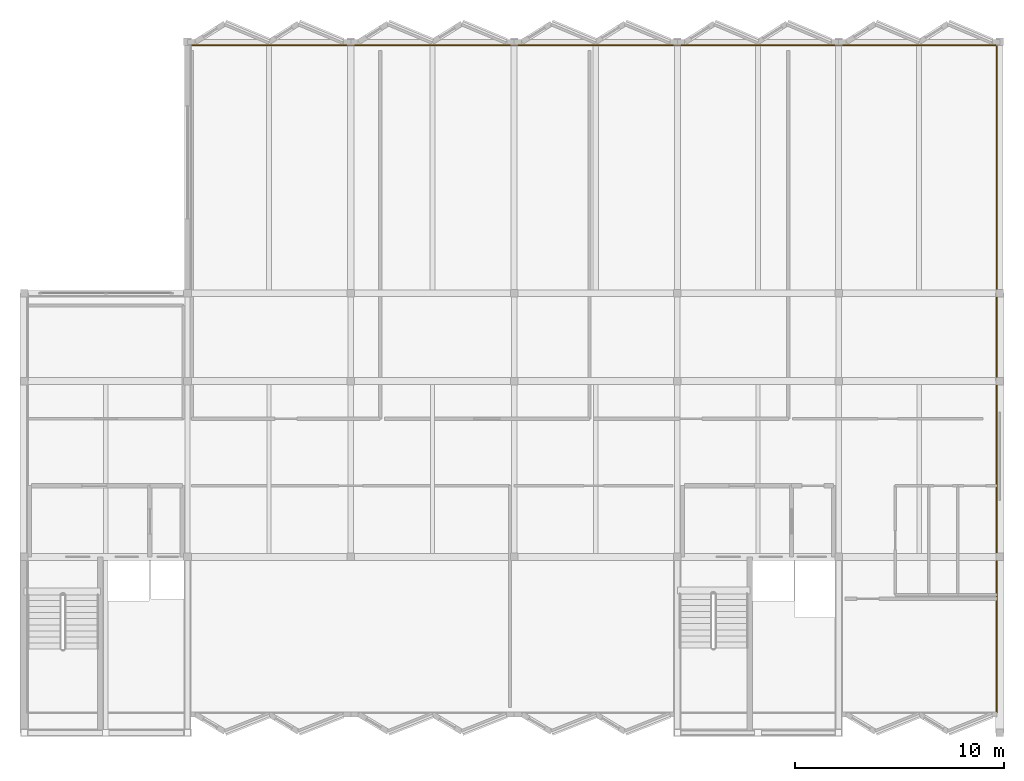
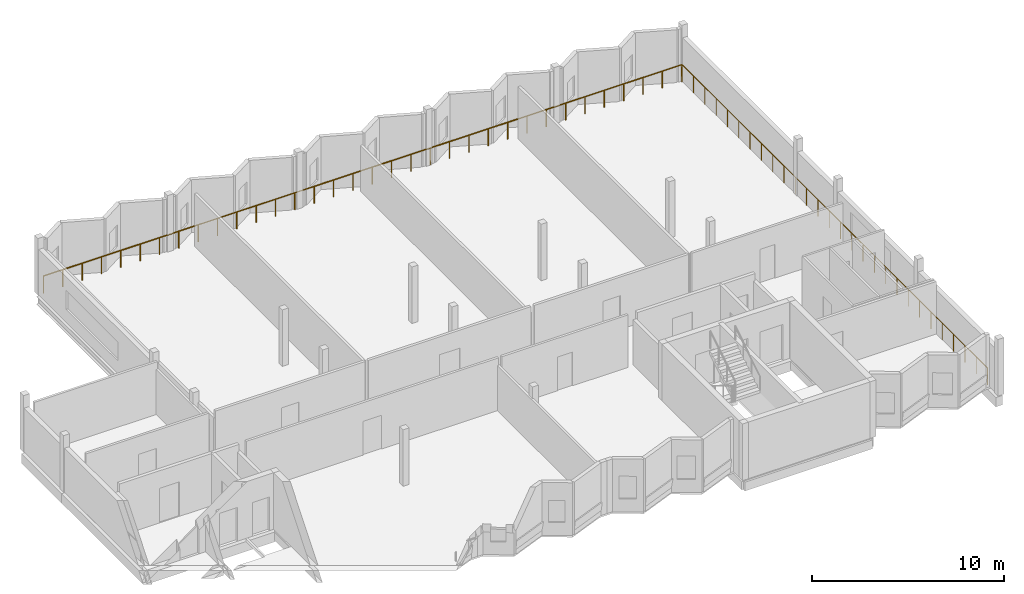
# One storey, part 11 of 11: 2 railings.
"""IFC4 building model written with IfcOpenShell, lengths in metres."""

import ifcopenshell
import ifcopenshell.guid

model = None  # the IFC model being written
_history = None  # IfcOwnerHistory: only IFC2X3 demands one
_inside = {}  # id of a spatial element -> (the spatial element, [elements in it])
_under = {}  # id of a project, library or spatial element -> (it, [spatial elements below it])
_declared = {}  # id of a project -> (the project, [libraries it declares])
_typed = {}  # id of a type object -> (the type object, [elements of that type])
_made_of = {}  # id of a material, layer set ... -> (it, [elements and type objects made of it])


def new_model(schema):
    """Start an empty IFC model of exactly this schema.

    Asked for "IFC4X3", IfcOpenShell would pick the latest addendum, in which some entities
    have other attributes; the version numbers below select the first issue.
    IFC2X3 requires an IfcOwnerHistory on every rooted entity: one is made here for all.
    """
    global model, _history
    if schema == "IFC4X3":
        model = ifcopenshell.file(schema_version=(4, 3, 0, 0))
    else:
        model = ifcopenshell.file(schema=schema)
    _inside.clear()
    _under.clear()
    _declared.clear()
    _typed.clear()
    _made_of.clear()
    _history = None
    if model.schema == "IFC2X3":
        org = make("IfcOrganization", Name="unknown")
        user = make(
            "IfcPersonAndOrganization",
            ThePerson=make("IfcPerson", FamilyName="unknown"),
            TheOrganization=org,
        )
        app = make(
            "IfcApplication",
            ApplicationDeveloper=org,
            Version="unknown",
            ApplicationFullName="unknown",
            ApplicationIdentifier="unknown",
        )
        _history = make(
            "IfcOwnerHistory",
            OwningUser=user,
            OwningApplication=app,
            ChangeAction="ADDED",
            CreationDate=0,
        )
    return model


def make(cls, **values):
    """One entity of the class cls with the attributes given. An attribute that is None is left unset."""
    return model.create_entity(
        cls, **{name: value for name, value in values.items() if value is not None}
    )


def rooted(cls, **values):
    """An entity with a GlobalId (a new one), such as an element, a storey or a relation."""
    return make(cls, GlobalId=ifcopenshell.guid.new(), OwnerHistory=_history, **values)


def si_unit(unit_type, name, prefix=None):
    """IfcSIUnit, for example si_unit("LENGTHUNIT", "METRE", prefix="MILLI")."""
    return make("IfcSIUnit", UnitType=unit_type, Prefix=prefix, Name=name)


def assignment(units):
    """IfcUnitAssignment: the units of a project."""
    return None if units is None else make("IfcUnitAssignment", Units=units)


def point(xyz):
    """IfcCartesianPoint."""
    return None if xyz is None else make("IfcCartesianPoint", Coordinates=xyz)


def direction(xyz):
    """IfcDirection."""
    return None if xyz is None else make("IfcDirection", DirectionRatios=xyz)


def frame(location, z_axis=None, x_axis=None):
    """IfcAxis2Placement3D, a coordinate frame: its origin and axes. An axis left out is left unset."""
    return make(
        "IfcAxis2Placement3D",
        Location=point(location),
        Axis=direction(z_axis),
        RefDirection=direction(x_axis),
    )


def frame_2d(location, x_axis=None):
    """IfcAxis2Placement2D, a coordinate frame in the plane: its origin and x axis."""
    return make(
        "IfcAxis2Placement2D", Location=point(location), RefDirection=direction(x_axis)
    )


def origin():
    """The frame at (0, 0, 0) with its axes left unset."""
    return frame((0.0, 0.0, 0.0))


def origin_2d():
    """The frame at (0, 0) in the plane with its x axis left unset."""
    return frame_2d((0.0, 0.0))


def place(relative_to, where):
    """IfcLocalPlacement: puts the frame where relative to a parent placement (None: the world)."""
    return make(
        "IfcLocalPlacement", PlacementRelTo=relative_to, RelativePlacement=where
    )


def context(
    kind, dimensions, precision=None, world=None, true_north=None, identifier=None
):
    """IfcGeometricRepresentationContext, for example the 3D "Model" context."""
    return make(
        "IfcGeometricRepresentationContext",
        ContextIdentifier=identifier,
        ContextType=kind,
        CoordinateSpaceDimension=dimensions,
        Precision=precision,
        WorldCoordinateSystem=world,
        TrueNorth=true_north,
    )


def subcontext(parent, identifier, kind, view, scale=None):
    """IfcGeometricRepresentationSubContext, for example "Body" below "Model"."""
    return make(
        "IfcGeometricRepresentationSubContext",
        ContextIdentifier=identifier,
        ContextType=kind,
        ParentContext=parent,
        TargetScale=scale,
        TargetView=view,
    )


def project(units=None, contexts=None):
    """IfcProject with its units and contexts."""
    return rooted(
        "IfcProject",
        Name="project",
        RepresentationContexts=contexts,
        UnitsInContext=assignment(units),
    )


def spatial(cls, under=None, at=None, **own):
    """A site, building, storey or space (cls), placed at a placement, below another one or the project."""
    s = rooted(cls, ObjectPlacement=at, **own)
    if under is not None:
        _under.setdefault(under.id(), (under, []))[1].append(s)
    return s


def profile(cls, at=None, kind="AREA", **sizes):
    """A parametric profile (cls). Its sizes go by their IFC names, for example OverallWidth=200.0."""
    return make(cls, ProfileType=kind, Position=at, **sizes)


def circle(**sizes):
    """IfcCircleProfileDef."""
    return profile("IfcCircleProfileDef", **sizes)


def extrude(swept, where, along, depth):
    """IfcExtrudedAreaSolid: the profile swept, set in the frame where, extruded along a direction by depth."""
    return make(
        "IfcExtrudedAreaSolid",
        SweptArea=swept,
        Position=where,
        ExtrudedDirection=direction(along),
        Depth=depth,
    )


def shape(context_of_items, identifier, shape_type, items):
    """IfcShapeRepresentation: the items that make up one representation, for example the "Body"."""
    return make(
        "IfcShapeRepresentation",
        ContextOfItems=context_of_items,
        RepresentationIdentifier=identifier,
        RepresentationType=shape_type,
        Items=items,
    )


def material(Name=None, Category=None):
    """IfcMaterial."""
    return make("IfcMaterial", Name=Name, Category=Category)


def made_of(thing, what):
    """Note that an element or type object is made of a material, layer set ...; save() writes the relation."""
    if what is not None:
        _made_of.setdefault(what.id(), (what, []))[1].append(thing)
    return thing


def type_object(cls, material=None, **own):
    """A type object (cls), such as IfcWallType, which elements share."""
    return made_of(rooted(cls, **own), material)


def element(
    cls,
    number,
    at=None,
    inside=None,
    cuts=None,
    type_object=None,
    material=None,
    context=None,
    identifier="Body",
    shape_type=None,
    held_by="IfcProductDefinitionShape",
    body=None,
    shapes=None,
    **own,
):
    """One element of the class cls, such as IfcWall. Its Tag is "e" and its number.

    at: its placement. inside: the storey or other place that contains it. cuts: it is an
    opening in that element (IfcRelVoidsElement). A single representation is given by context,
    identifier, shape_type and body (its items); several are given by shapes. held_by: the class
    of the entity that holds the representations. save() writes the other relations.
    """
    e = rooted(cls, Tag="e%d" % number, ObjectPlacement=at, **own)
    if body is not None:
        shapes = [shape(context, identifier, shape_type, body)]
    if shapes is not None:
        e.Representation = make(held_by, Representations=shapes)
    if inside is not None:
        _inside.setdefault(inside.id(), (inside, []))[1].append(e)
    if cuts is not None:
        rooted(
            "IfcRelVoidsElement", RelatingBuildingElement=cuts, RelatedOpeningElement=e
        )
    if type_object is not None:
        _typed.setdefault(type_object.id(), (type_object, []))[1].append(e)
    return made_of(e, material)


def aggregate(whole, parts):
    """IfcRelAggregates: a whole, such as a stair, and the parts it consists of."""
    return rooted("IfcRelAggregates", RelatingObject=whole, RelatedObjects=parts)


def save(model, path):
    """Write the relations noted so far, then the file.

    IfcRelAggregates (storeys below a building ...), IfcRelContainedInSpatialStructure (elements
    in a storey), IfcRelDefinesByType, IfcRelAssociatesMaterial and IfcRelDeclares: one each for
    every whole, place, type object, material and project.
    """
    for whole, parts in _under.values():
        aggregate(whole, parts)
    for where, things in _inside.values():
        rooted(
            "IfcRelContainedInSpatialStructure",
            RelatedElements=things,
            RelatingStructure=where,
        )
    for kind, things in _typed.values():
        rooted("IfcRelDefinesByType", RelatedObjects=things, RelatingType=kind)
    for what, things in _made_of.values():
        rooted("IfcRelAssociatesMaterial", RelatedObjects=things, RelatingMaterial=what)
    for by, libraries in _declared.values():
        rooted("IfcRelDeclares", RelatingContext=by, RelatedDefinitions=libraries)
    model.write(path)


model = new_model("IFC4")

# Units and contexts
model_context = context("Model", 3, precision=1e-05, world=origin(), true_north=direction((0.0, 1.0)))
body_context = subcontext(model_context, "Body", "Model", "MODEL_VIEW")
ifc_project = project(units=[si_unit("LENGTHUNIT", "METRE"), si_unit("AREAUNIT", "SQUARE_METRE"), si_unit("VOLUMEUNIT", "CUBIC_METRE"), si_unit("PLANEANGLEUNIT", "RADIAN"), si_unit("MASSUNIT", "GRAM", prefix="KILO")], contexts=[model_context])

# Site, building, storey
site_placement = place(None, origin())
site = spatial("IfcSite", under=ifc_project, at=site_placement, CompositionType="ELEMENT")
building_placement = place(site_placement, origin())
building = spatial("IfcBuilding", under=site, at=building_placement, Name="Vharandega Faculty of Natural Sciences", CompositionType="ELEMENT")
storey_placement = place(building_placement, frame((0.0, 0.0, 39.60009765625)))
storey = spatial("IfcBuildingStorey", under=building, at=storey_placement, Name="L10", CompositionType="ELEMENT", Elevation=39.60009765625)

# Railings
ifc_material = material(Name="Galvanised painted steel balustrade", Category="steel")
railing_type = type_object("IfcRailingType", Name="Terrace Steel Guardrail 1100", PredefinedType="GUARDRAIL", material=ifc_material)
railing_1_placement = place(storey_placement, frame((161.25, 64.97509765625, 0.0)))
element("IfcRailing", 1, at=railing_1_placement, inside=storey, type_object=railing_type, Name="Perimeter Sill Guard L10 #2", PredefinedType="GUARDRAIL", context=body_context, shape_type="SweptSolid", body=[
    extrude(circle(Radius=0.02392578125, at=origin_2d()), frame((0.0, 0.0, 1.076171875), z_axis=(0.0, 1.0, 0.0), x_axis=(-1.0, 0.0, 0.0)), (0.0, 0.0, 1.0), 31.849853515625),
    extrude(circle(Radius=0.02099609375, at=origin_2d()), origin(), (0.0, 0.0, 1.0), 1.052001953125),
    extrude(circle(Radius=0.02099609375, at=origin_2d()), frame((0.0, 1.1796875, 0.0)), (0.0, 0.0, 1.0), 1.052001953125),
    extrude(circle(Radius=0.02099609375, at=origin_2d()), frame((0.0, 2.359130859375, 0.0)), (0.0, 0.0, 1.0), 1.052001953125),
    extrude(circle(Radius=0.02099609375, at=origin_2d()), frame((0.0, 3.538818359375, 0.0)), (0.0, 0.0, 1.0), 1.052001953125),
    extrude(circle(Radius=0.02099609375, at=origin_2d()), frame((0.0, 4.718505859375, 0.0)), (0.0, 0.0, 1.0), 1.052001953125),
    extrude(circle(Radius=0.02099609375, at=origin_2d()), frame((0.0, 5.898193359375, 0.0)), (0.0, 0.0, 1.0), 1.052001953125),
    extrude(circle(Radius=0.02099609375, at=origin_2d()), frame((0.0, 7.07763671875, 0.0)), (0.0, 0.0, 1.0), 1.052001953125),
    extrude(circle(Radius=0.02099609375, at=origin_2d()), frame((0.0, 8.25732421875, 0.0)), (0.0, 0.0, 1.0), 1.052001953125),
    extrude(circle(Radius=0.02099609375, at=origin_2d()), frame((0.0, 9.43701171875, 0.0)), (0.0, 0.0, 1.0), 1.052001953125),
    extrude(circle(Radius=0.02099609375, at=origin_2d()), frame((0.0, 10.61669921875, 0.0)), (0.0, 0.0, 1.0), 1.052001953125),
    extrude(circle(Radius=0.02099609375, at=origin_2d()), frame((0.0, 11.796142578125, 0.0)), (0.0, 0.0, 1.0), 1.052001953125),
    extrude(circle(Radius=0.02099609375, at=origin_2d()), frame((0.0, 12.975830078125, 0.0)), (0.0, 0.0, 1.0), 1.052001953125),
    extrude(circle(Radius=0.02099609375, at=origin_2d()), frame((0.0, 14.155517578125, 0.0)), (0.0, 0.0, 1.0), 1.052001953125),
    extrude(circle(Radius=0.02099609375, at=origin_2d()), frame((0.0, 15.335205078125, 0.0)), (0.0, 0.0, 1.0), 1.052001953125),
    extrude(circle(Radius=0.02099609375, at=origin_2d()), frame((0.0, 16.5146484375, 0.0)), (0.0, 0.0, 1.0), 1.052001953125),
    extrude(circle(Radius=0.02099609375, at=origin_2d()), frame((0.0, 17.6943359375, 0.0)), (0.0, 0.0, 1.0), 1.052001953125),
    extrude(circle(Radius=0.02099609375, at=origin_2d()), frame((0.0, 18.8740234375, 0.0)), (0.0, 0.0, 1.0), 1.052001953125),
    extrude(circle(Radius=0.02099609375, at=origin_2d()), frame((0.0, 20.0537109375, 0.0)), (0.0, 0.0, 1.0), 1.052001953125),
    extrude(circle(Radius=0.02099609375, at=origin_2d()), frame((0.0, 21.233154296875, 0.0)), (0.0, 0.0, 1.0), 1.052001953125),
    extrude(circle(Radius=0.02099609375, at=origin_2d()), frame((0.0, 22.412841796875, 0.0)), (0.0, 0.0, 1.0), 1.052001953125),
    extrude(circle(Radius=0.02099609375, at=origin_2d()), frame((0.0, 23.592529296875, 0.0)), (0.0, 0.0, 1.0), 1.052001953125),
    extrude(circle(Radius=0.02099609375, at=origin_2d()), frame((0.0, 24.772216796875, 0.0)), (0.0, 0.0, 1.0), 1.052001953125),
    extrude(circle(Radius=0.02099609375, at=origin_2d()), frame((0.0, 25.95166015625, 0.0)), (0.0, 0.0, 1.0), 1.052001953125),
    extrude(circle(Radius=0.02099609375, at=origin_2d()), frame((0.0, 27.13134765625, 0.0)), (0.0, 0.0, 1.0), 1.052001953125),
    extrude(circle(Radius=0.02099609375, at=origin_2d()), frame((0.0, 28.31103515625, 0.0)), (0.0, 0.0, 1.0), 1.052001953125),
    extrude(circle(Radius=0.02099609375, at=origin_2d()), frame((0.0, 29.49072265625, 0.0)), (0.0, 0.0, 1.0), 1.052001953125),
    extrude(circle(Radius=0.02099609375, at=origin_2d()), frame((0.0, 30.670166015625, 0.0)), (0.0, 0.0, 1.0), 1.052001953125),
    extrude(circle(Radius=0.02099609375, at=origin_2d()), frame((0.0, 31.849853515625, 0.0)), (0.0, 0.0, 1.0), 1.052001953125),
])
railing_2_placement = place(storey_placement, frame((161.22509765625, 96.85009765625, 0.0)))
element("IfcRailing", 2, at=railing_2_placement, inside=storey, type_object=railing_type, Name="Perimeter Sill Guard L10 #3", PredefinedType="GUARDRAIL", context=body_context, shape_type="SweptSolid", body=[
    extrude(circle(Radius=0.02392578125, at=origin_2d()), frame((0.0, 0.0, 1.076171875), z_axis=(-1.0, 0.0, 0.0), x_axis=(0.0, -1.0, 0.0)), (0.0, 0.0, 1.0), 38.4501953125),
    extrude(circle(Radius=0.02099609375, at=origin_2d()), origin(), (0.0, 0.0, 1.0), 1.052001953125),
    extrude(circle(Radius=0.02099609375, at=origin_2d()), frame((-1.1650390625, 0.0, 0.0)), (0.0, 0.0, 1.0), 1.052001953125),
    extrude(circle(Radius=0.02099609375, at=origin_2d()), frame((-2.330322265625, 0.0, 0.0)), (0.0, 0.0, 1.0), 1.052001953125),
    extrude(circle(Radius=0.02099609375, at=origin_2d()), frame((-3.495361328125, 0.0, 0.0)), (0.0, 0.0, 1.0), 1.052001953125),
    extrude(circle(Radius=0.02099609375, at=origin_2d()), frame((-4.66064453125, 0.0, 0.0)), (0.0, 0.0, 1.0), 1.052001953125),
    extrude(circle(Radius=0.02099609375, at=origin_2d()), frame((-5.82568359375, 0.0, 0.0)), (0.0, 0.0, 1.0), 1.052001953125),
    extrude(circle(Radius=0.02099609375, at=origin_2d()), frame((-6.990966796875, 0.0, 0.0)), (0.0, 0.0, 1.0), 1.052001953125),
    extrude(circle(Radius=0.02099609375, at=origin_2d()), frame((-8.156005859375, 0.0, 0.0)), (0.0, 0.0, 1.0), 1.052001953125),
    extrude(circle(Radius=0.02099609375, at=origin_2d()), frame((-9.3212890625, 0.0, 0.0)), (0.0, 0.0, 1.0), 1.052001953125),
    extrude(circle(Radius=0.02099609375, at=origin_2d()), frame((-10.486328125, 0.0, 0.0)), (0.0, 0.0, 1.0), 1.052001953125),
    extrude(circle(Radius=0.02099609375, at=origin_2d()), frame((-11.651611328125, 0.0, 0.0)), (0.0, 0.0, 1.0), 1.052001953125),
    extrude(circle(Radius=0.02099609375, at=origin_2d()), frame((-12.816650390625, 0.0, 0.0)), (0.0, 0.0, 1.0), 1.052001953125),
    extrude(circle(Radius=0.02099609375, at=origin_2d()), frame((-13.98193359375, 0.0, 0.0)), (0.0, 0.0, 1.0), 1.052001953125),
    extrude(circle(Radius=0.02099609375, at=origin_2d()), frame((-15.14697265625, 0.0, 0.0)), (0.0, 0.0, 1.0), 1.052001953125),
    extrude(circle(Radius=0.02099609375, at=origin_2d()), frame((-16.312255859375, 0.0, 0.0)), (0.0, 0.0, 1.0), 1.052001953125),
    extrude(circle(Radius=0.02099609375, at=origin_2d()), frame((-17.477294921875, 0.0, 0.0)), (0.0, 0.0, 1.0), 1.052001953125),
    extrude(circle(Radius=0.02099609375, at=origin_2d()), frame((-18.642578125, 0.0, 0.0)), (0.0, 0.0, 1.0), 1.052001953125),
    extrude(circle(Radius=0.02099609375, at=origin_2d()), frame((-19.8076171875, 0.0, 0.0)), (0.0, 0.0, 1.0), 1.052001953125),
    extrude(circle(Radius=0.02099609375, at=origin_2d()), frame((-20.972900390625, 0.0, 0.0)), (0.0, 0.0, 1.0), 1.052001953125),
    extrude(circle(Radius=0.02099609375, at=origin_2d()), frame((-22.137939453125, 0.0, 0.0)), (0.0, 0.0, 1.0), 1.052001953125),
    extrude(circle(Radius=0.02099609375, at=origin_2d()), frame((-23.30322265625, 0.0, 0.0)), (0.0, 0.0, 1.0), 1.052001953125),
    extrude(circle(Radius=0.02099609375, at=origin_2d()), frame((-24.46826171875, 0.0, 0.0)), (0.0, 0.0, 1.0), 1.052001953125),
    extrude(circle(Radius=0.02099609375, at=origin_2d()), frame((-25.633544921875, 0.0, 0.0)), (0.0, 0.0, 1.0), 1.052001953125),
    extrude(circle(Radius=0.02099609375, at=origin_2d()), frame((-26.798583984375, 0.0, 0.0)), (0.0, 0.0, 1.0), 1.052001953125),
    extrude(circle(Radius=0.02099609375, at=origin_2d()), frame((-27.9638671875, 0.0, 0.0)), (0.0, 0.0, 1.0), 1.052001953125),
    extrude(circle(Radius=0.02099609375, at=origin_2d()), frame((-29.12890625, 0.0, 0.0)), (0.0, 0.0, 1.0), 1.052001953125),
    extrude(circle(Radius=0.02099609375, at=origin_2d()), frame((-30.294189453125, 0.0, 0.0)), (0.0, 0.0, 1.0), 1.052001953125),
    extrude(circle(Radius=0.02099609375, at=origin_2d()), frame((-31.459228515625, 0.0, 0.0)), (0.0, 0.0, 1.0), 1.052001953125),
    extrude(circle(Radius=0.02099609375, at=origin_2d()), frame((-32.62451171875, 0.0, 0.0)), (0.0, 0.0, 1.0), 1.052001953125),
    extrude(circle(Radius=0.02099609375, at=origin_2d()), frame((-33.78955078125, 0.0, 0.0)), (0.0, 0.0, 1.0), 1.052001953125),
    extrude(circle(Radius=0.02099609375, at=origin_2d()), frame((-34.954833984375, 0.0, 0.0)), (0.0, 0.0, 1.0), 1.052001953125),
    extrude(circle(Radius=0.02099609375, at=origin_2d()), frame((-36.119873046875, 0.0, 0.0)), (0.0, 0.0, 1.0), 1.052001953125),
    extrude(circle(Radius=0.02099609375, at=origin_2d()), frame((-37.28515625, 0.0, 0.0)), (0.0, 0.0, 1.0), 1.052001953125),
    extrude(circle(Radius=0.02099609375, at=origin_2d()), frame((-38.4501953125, 0.0, 0.0)), (0.0, 0.0, 1.0), 1.052001953125),
])

save(model, "model.ifc")
